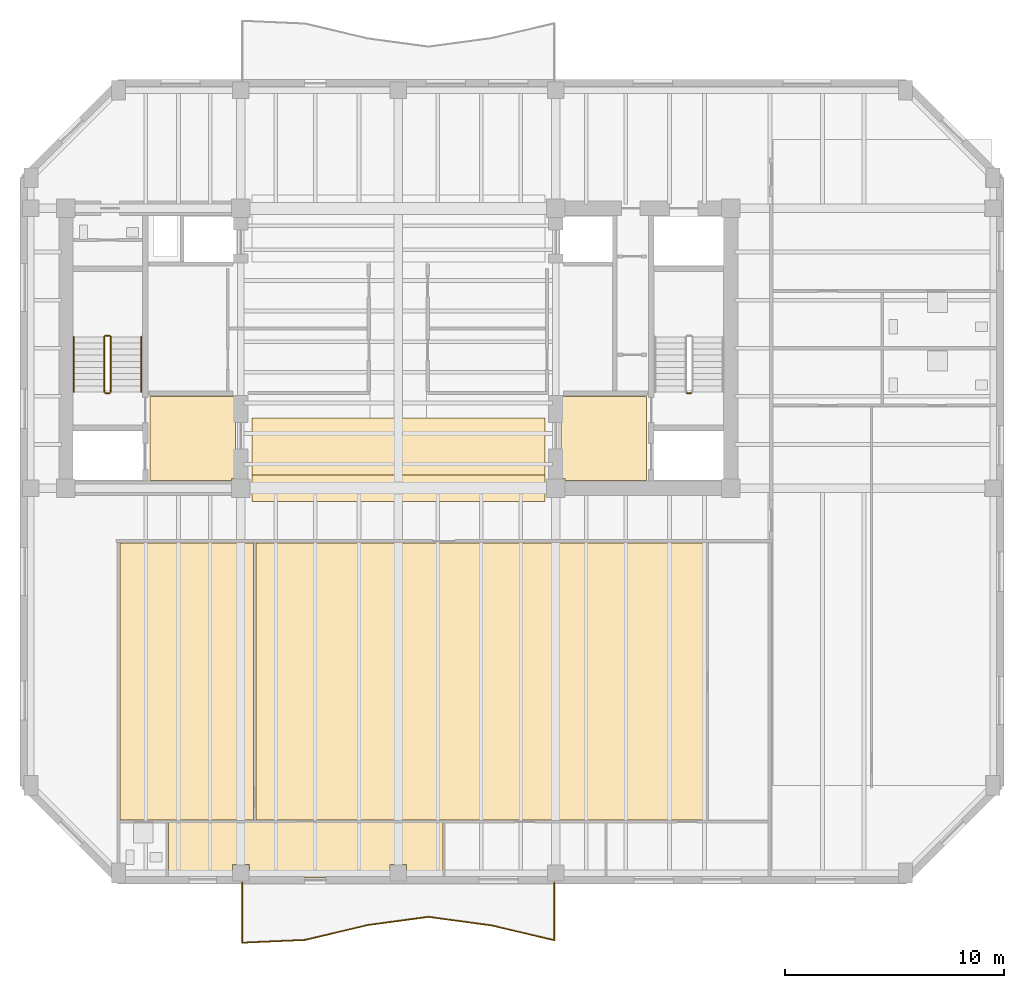
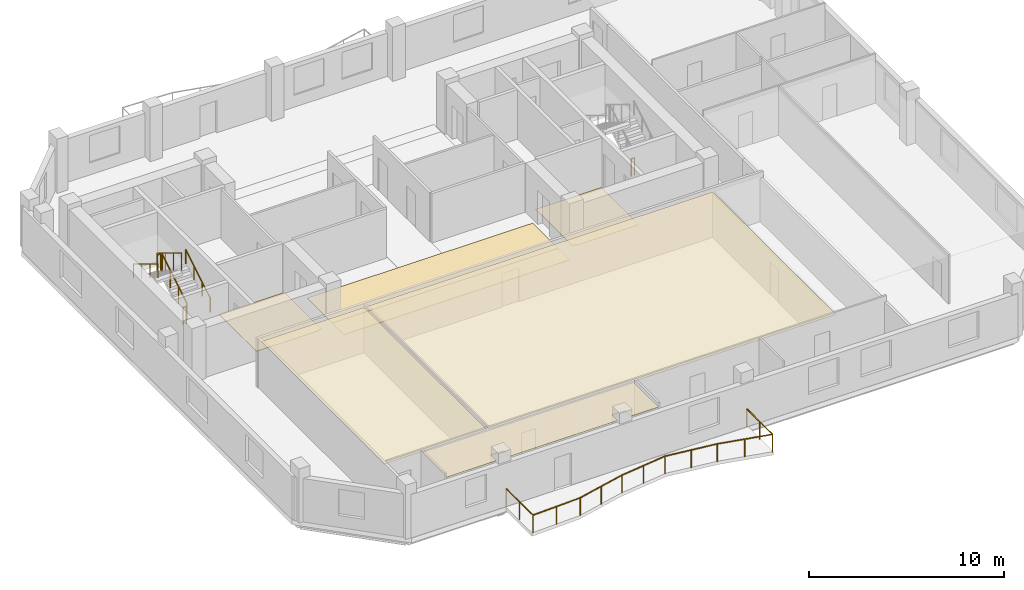
# One storey, part 6 of 9: 8 railings, 7 coverings.
"""IFC4 building model written with IfcOpenShell, lengths in metres."""

from ifc_helpers import new_model, si_unit, direction, frame, origin, origin_2d, place, context, subcontext, project, spatial, polyline, circle, outline, extrude, material, layer, layer_set, type_object, element, save


model = new_model("IFC4")

# Units and contexts
model_context = context("Model", 3, precision=1e-05, world=origin(), true_north=direction((0.0, 1.0)))
body_context = subcontext(model_context, "Body", "Model", "MODEL_VIEW")
ifc_project = project(units=[si_unit("LENGTHUNIT", "METRE"), si_unit("AREAUNIT", "SQUARE_METRE"), si_unit("VOLUMEUNIT", "CUBIC_METRE"), si_unit("PLANEANGLEUNIT", "RADIAN"), si_unit("MASSUNIT", "GRAM", prefix="KILO")], contexts=[model_context])

# Site, building, storey
site_placement = place(None, origin())
site = spatial("IfcSite", under=ifc_project, at=site_placement, CompositionType="ELEMENT")
building_placement = place(site_placement, origin())
building = spatial("IfcBuilding", under=site, at=building_placement, Name="Kranthara Brick Stack", CompositionType="ELEMENT")
storey_placement = place(building_placement, frame((0.0, 0.0, 238.10009765625)))
storey = spatial("IfcBuildingStorey", under=building, at=storey_placement, Name="L62", CompositionType="ELEMENT", Elevation=238.10009765625)

# Coverings
ifc_material_1 = material(Name="Perforated mineral-fibre acoustic ceiling tile", Category="other")
ifc_layer_1 = layer(ifc_material_1, 0.02490234375)
ifc_layer_set_1 = layer_set([ifc_layer_1], Name="Perforated mineral-fibre acoustic ceiling tile")
covering_type_1 = type_object("IfcCoveringType", Name="COV-CEIL-ACOUSTIC", PredefinedType="CEILING", material=ifc_layer_set_1)
covering_1_placement = place(storey_placement, frame((0.0, 0.0, 2.829833984375)))
element("IfcCovering", 1, at=covering_1_placement, inside=storey, type_object=covering_type_1, Name="L62 Unit L62A 3-Bed Apartment Living Dining Acoustic Ceiling", PredefinedType="CEILING", context=body_context, shape_type="SweptSolid", body=[
    extrude(outline(polyline([(21.385986328125, 5.6298828125), (21.385986328125, 18.300048828125), (15.280029296875, 18.300048828125), (15.280029296875, 5.6298828125), (21.385986328125, 5.6298828125)])), origin(), (0.0, 0.0, 1.0), 0.025146484375),
])
covering_2_placement = place(storey_placement, frame((0.0, 0.0, 2.829833984375)))
element("IfcCovering", 2, at=covering_2_placement, inside=storey, type_object=covering_type_1, Name="L62 Unit L62A Private Study Room Acoustic Ceiling", PredefinedType="CEILING", context=body_context, shape_type="SweptSolid", body=[
    extrude(outline(polyline([(42.087890625, 5.6298828125), (42.087890625, 18.300048828125), (21.486083984375, 18.300048828125), (21.486083984375, 5.6298828125), (42.087890625, 5.6298828125)])), origin(), (0.0, 0.0, 1.0), 0.025146484375),
])
covering_3_placement = place(storey_placement, frame((0.0, 0.0, 2.829833984375)))
element("IfcCovering", 3, at=covering_3_placement, inside=storey, type_object=covering_type_1, Name="L62 Unit L62A Kitchen Acoustic Ceiling", PredefinedType="CEILING", context=body_context, shape_type="SweptSolid", body=[
    extrude(outline(polyline([(17.47998046875, 5.550048828125), (30.0400390625, 5.550048828125), (30.0400390625, 3.0), (28.385009765625, 3.0), (28.385009765625, 3.5849609375), (27.614990234375, 3.5849609375), (27.614990234375, 3.0), (21.18505859375, 3.0), (21.18505859375, 3.5849609375), (20.4150390625, 3.5849609375), (20.4150390625, 3.0), (17.47998046875, 3.0), (17.47998046875, 5.550048828125)])), origin(), (0.0, 0.0, 1.0), 0.025146484375),
])
ifc_material_2 = material(Name="Honed terrazzo and porcelain floor finish", Category="stone")
ifc_layer_2 = layer(ifc_material_2, 0.030029296875)
ifc_layer_set_2 = layer_set([ifc_layer_2], Name="Honed terrazzo and porcelain floor finish")
covering_type_2 = type_object("IfcCoveringType", Name="COV-FLOR-STONE", PredefinedType="FLOORING", material=ifc_layer_set_2)
covering_4_placement = place(storey_placement, origin())
element("IfcCovering", 4, at=covering_4_placement, inside=storey, type_object=covering_type_2, Name="L62 Lift Lobby Stone Flooring", PredefinedType="FLOORING", context=body_context, shape_type="SweptSolid", body=[
    extrude(outline(polyline([(16.64990234375, 21.14990234375), (16.64990234375, 25.0), (20.550048828125, 25.0), (20.550048828125, 21.235107421875), (20.364990234375, 21.235107421875), (20.364990234375, 21.14990234375), (16.64990234375, 21.14990234375)])), origin(), (0.0, 0.0, 1.0), 0.02978515625),
])
covering_5_placement = place(storey_placement, origin())
element("IfcCovering", 5, at=covering_5_placement, inside=storey, type_object=covering_type_2, Name="L62 Lift Lobby Stone Flooring", PredefinedType="FLOORING", context=body_context, shape_type="SweptSolid", body=[
    extrude(outline(polyline([(35.449951171875, 25.0), (39.35009765625, 25.0), (39.35009765625, 21.14990234375), (35.635009765625, 21.14990234375), (35.635009765625, 21.235107421875), (35.449951171875, 21.235107421875), (35.449951171875, 25.0)])), origin(), (0.0, 0.0, 1.0), 0.02978515625),
])
covering_6_placement = place(storey_placement, origin())
element("IfcCovering", 6, at=covering_6_placement, inside=storey, type_object=covering_type_2, Name="L62 Lift Lobby Stone Flooring", PredefinedType="FLOORING", context=body_context, shape_type="SweptSolid", body=[
    extrude(outline(polyline([(34.699951171875, 21.39990234375), (34.699951171875, 24.0), (21.300048828125, 24.0), (21.300048828125, 21.39990234375), (34.699951171875, 21.39990234375)])), origin(), (0.0, 0.0, 1.0), 0.02978515625),
])
covering_7_placement = place(storey_placement, origin())
element("IfcCovering", 7, at=covering_7_placement, inside=storey, type_object=covering_type_2, Name="L62 Lift Lobby Stone Flooring", PredefinedType="FLOORING", context=body_context, shape_type="SweptSolid", body=[
    extrude(outline(polyline([(34.699951171875, 20.199951171875), (21.300048828125, 20.199951171875), (21.300048828125, 21.39990234375), (34.699951171875, 21.39990234375), (34.699951171875, 20.199951171875)])), origin(), (0.0, 0.0, 1.0), 0.02978515625),
])

# Railings
ifc_material_3 = material(Name="Bronze anodised aluminium and laminated glass balustrade", Category="aluminium")
railing_type_1 = type_object("IfcRailingType", Name="RL-BALC-1120", PredefinedType="BALUSTRADE", material=ifc_material_3)
railing_1_placement = place(storey_placement, frame((35.139892578125, 2.760009765625, 0.0)))
element("IfcRailing", 8, at=railing_1_placement, inside=storey, type_object=railing_type_1, Name="L62 South Rippling Balcony Balustrade", PredefinedType="BALUSTRADE", context=body_context, shape_type="SweptSolid", body=[
    extrude(circle(Radius=0.02392578125, at=origin_2d()), frame((0.0, 0.0, 1.09619140625), z_axis=(0.000185322458, -0.999999982828, 0.0), x_axis=(0.999999982828, 0.000185322458, 0.0)), (0.0, 0.0, 1.0), 2.634765625),
    extrude(circle(Radius=0.02392578125, at=origin_2d()), frame((0.00048828125, -2.634765625, 1.09619140625), z_axis=(-0.973325123583, 0.229430171952, 0.0), x_axis=(-0.229430171952, -0.973325123583, 0.0)), (0.0, 0.0, 1.0), 2.959228515625),
    extrude(circle(Radius=0.02392578125, at=origin_2d()), frame((-2.8798828125, -1.955810546875, 1.09619140625), z_axis=(-0.990958044429, 0.134172106567, 0.0), x_axis=(-0.134172106567, -0.990958044429, 0.0)), (0.0, 0.0, 1.0), 2.906005859375),
    extrude(circle(Radius=0.02392578125, at=origin_2d()), frame((-5.759521484375, -1.56591796875, 1.09619140625), z_axis=(-0.991112725589, -0.133024678819, 0.0), x_axis=(0.133024678819, -0.991112725589, 0.0)), (0.0, 0.0, 1.0), 2.785888671875),
    extrude(circle(Radius=0.02392578125, at=origin_2d()), frame((-8.520751953125, -1.9365234375, 1.09619140625), z_axis=(-0.972955551259, -0.23099241389, 0.0), x_axis=(0.23099241389, -0.972955551259, 0.0)), (0.0, 0.0, 1.0), 2.96044921875),
    extrude(circle(Radius=0.02392578125, at=origin_2d()), frame((-11.401123046875, -2.620361328125, 1.09619140625), z_axis=(-0.999029441262, -0.04404742322, 0.0), x_axis=(0.04404742322, -0.999029441262, 0.0)), (0.0, 0.0, 1.0), 2.882080078125),
    extrude(circle(Radius=0.02392578125, at=origin_2d()), frame((-14.280517578125, -2.747314453125, 1.09619140625), z_axis=(0.000266595565, 0.999999964463, 0.0), x_axis=(-0.999999964463, 0.000266595565, 0.0)), (0.0, 0.0, 1.0), 2.747314453125),
    extrude(circle(Radius=0.02099609375, at=origin_2d()), origin(), (0.0, 0.0, 1.0), 1.072021484375),
    extrude(circle(Radius=0.02099609375, at=origin_2d()), frame((0.000244140625, -1.3173828125, 0.0)), (0.0, 0.0, 1.0), 1.072021484375),
    extrude(circle(Radius=0.02099609375, at=origin_2d()), frame((0.00048828125, -2.634765625, 0.0)), (0.0, 0.0, 1.0), 1.072021484375),
    extrude(circle(Radius=0.02099609375, at=origin_2d()), frame((-1.439697265625, -2.29541015625, 0.0)), (0.0, 0.0, 1.0), 1.072021484375),
    extrude(circle(Radius=0.02099609375, at=origin_2d()), frame((-2.8798828125, -1.955810546875, 0.0)), (0.0, 0.0, 1.0), 1.072021484375),
    extrude(circle(Radius=0.02099609375, at=origin_2d()), frame((-4.31982421875, -1.7607421875, 0.0)), (0.0, 0.0, 1.0), 1.072021484375),
    extrude(circle(Radius=0.02099609375, at=origin_2d()), frame((-5.759521484375, -1.56591796875, 0.0)), (0.0, 0.0, 1.0), 1.072021484375),
    extrude(circle(Radius=0.02099609375, at=origin_2d()), frame((-7.14013671875, -1.751220703125, 0.0)), (0.0, 0.0, 1.0), 1.072021484375),
    extrude(circle(Radius=0.02099609375, at=origin_2d()), frame((-8.520751953125, -1.9365234375, 0.0)), (0.0, 0.0, 1.0), 1.072021484375),
    extrude(circle(Radius=0.02099609375, at=origin_2d()), frame((-9.9609375, -2.2783203125, 0.0)), (0.0, 0.0, 1.0), 1.072021484375),
    extrude(circle(Radius=0.02099609375, at=origin_2d()), frame((-11.401123046875, -2.620361328125, 0.0)), (0.0, 0.0, 1.0), 1.072021484375),
    extrude(circle(Radius=0.02099609375, at=origin_2d()), frame((-12.8408203125, -2.683837890625, 0.0)), (0.0, 0.0, 1.0), 1.072021484375),
    extrude(circle(Radius=0.02099609375, at=origin_2d()), frame((-14.280517578125, -2.747314453125, 0.0)), (0.0, 0.0, 1.0), 1.072021484375),
    extrude(circle(Radius=0.02099609375, at=origin_2d()), frame((-14.2802734375, -1.37353515625, 0.0)), (0.0, 0.0, 1.0), 1.072021484375),
    extrude(circle(Radius=0.02099609375, at=origin_2d()), frame((-14.27978515625, 0.0, 0.0)), (0.0, 0.0, 1.0), 1.072021484375),
])
ifc_material_4 = material(Name="Painted galvanized steel stair guardrail", Category="steel")
railing_type_2 = type_object("IfcRailingType", Name="RL-STAIR-GUARD-1100", PredefinedType="GUARDRAIL", material=ifc_material_4)
railing_2_placement = place(storey_placement, frame((14.85009765625, 25.199951171875, 0.169921875)))
element("IfcRailing", 9, at=railing_2_placement, inside=storey, type_object=railing_type_2, Name="L62 ST01 stair guard 1", PredefinedType="GUARDRAIL", context=body_context, shape_type="SweptSolid", body=[
    extrude(circle(Radius=0.02392578125, at=origin_2d()), frame((0.0, 0.0, 1.076171875), z_axis=(0.0, 0.85478489116, 0.518982456201), x_axis=(-1.0, 0.0, 0.0)), (0.0, 0.0, 1.0), 2.9482421875),
    extrude(circle(Radius=0.02099609375, at=origin_2d()), origin(), (0.0, 0.0, 1.0), 1.052001953125),
    extrude(circle(Radius=0.02099609375, at=origin_2d()), frame((0.0, 0.840087890625, 0.510009765625)), (0.0, 0.0, 1.0), 1.052001953125),
    extrude(circle(Radius=0.02099609375, at=origin_2d()), frame((0.0, 1.679931640625, 1.02001953125)), (0.0, 0.0, 1.0), 1.052001953125),
    extrude(circle(Radius=0.02099609375, at=origin_2d()), frame((0.0, 2.52001953125, 1.530029296875)), (0.0, 0.0, 1.0), 1.052001953125),
])
railing_3_placement = place(storey_placement, frame((14.800048828125, 27.77001953125, 1.699951171875)))
element("IfcRailing", 10, at=railing_3_placement, inside=storey, type_object=railing_type_2, Name="L62 ST01 stair guard 2", PredefinedType="GUARDRAIL", context=body_context, shape_type="SweptSolid", body=[
    extrude(circle(Radius=0.02392578125, at=origin_2d()), frame((0.0, 0.0, 1.076171875), z_axis=(-1.0, 0.0, 0.0), x_axis=(0.0, -1.0, 0.0)), (0.0, 0.0, 1.0), 0.199951171875),
    extrude(circle(Radius=0.02099609375, at=origin_2d()), origin(), (0.0, 0.0, 1.0), 1.052001953125),
    extrude(circle(Radius=0.02099609375, at=origin_2d()), frame((-0.199951171875, 0.0, 0.0)), (0.0, 0.0, 1.0), 1.052001953125),
])
railing_4_placement = place(storey_placement, frame((14.550048828125, 27.719970703125, 1.869873046875)))
element("IfcRailing", 11, at=railing_4_placement, inside=storey, type_object=railing_type_2, Name="L62 ST01 stair guard 3", PredefinedType="GUARDRAIL", context=body_context, shape_type="SweptSolid", body=[
    extrude(circle(Radius=0.02392578125, at=origin_2d()), frame((0.0, 0.0, 1.076171875), z_axis=(0.0, -0.85478489116, 0.518982456201), x_axis=(1.0, 0.0, 0.0)), (0.0, 0.0, 1.0), 2.9482421875),
    extrude(circle(Radius=0.02099609375, at=origin_2d()), origin(), (0.0, 0.0, 1.0), 1.052001953125),
    extrude(circle(Radius=0.02099609375, at=origin_2d()), frame((0.0, -0.840087890625, 0.510009765625)), (0.0, 0.0, 1.0), 1.052001953125),
    extrude(circle(Radius=0.02099609375, at=origin_2d()), frame((0.0, -1.679931640625, 1.02001953125)), (0.0, 0.0, 1.0), 1.052001953125),
    extrude(circle(Radius=0.02099609375, at=origin_2d()), frame((0.0, -2.52001953125, 1.530029296875)), (0.0, 0.0, 1.0), 1.052001953125),
])
for number, where, name in (
    (12, (14.800048828125, 25.14990234375, 0.0), "L62 ST01 stair guard 4"),
    (13, (41.39990234375, 25.14990234375, 0.0), "L62 ST02 stair guard 4"),
):
    element("IfcRailing", number, at=place(storey_placement, frame(where)), inside=storey, type_object=railing_type_2, Name=name, PredefinedType="GUARDRAIL", context=body_context, shape_type="SweptSolid", body=[
        extrude(circle(Radius=0.02392578125, at=origin_2d()), frame((0.0, 0.0, 1.076171875), z_axis=(-1.0, 0.0, 0.0), x_axis=(0.0, -1.0, 0.0)), (0.0, 0.0, 1.0), 0.199951171875),
        extrude(circle(Radius=0.02099609375, at=origin_2d()), origin(), (0.0, 0.0, 1.0), 1.052001953125),
        extrude(circle(Radius=0.02099609375, at=origin_2d()), frame((-0.199951171875, 0.0, 0.0)), (0.0, 0.0, 1.0), 1.052001953125),
    ])
ifc_material_5 = material(Name="Brushed stainless steel tubular handrail", Category="steel")
railing_type_3 = type_object("IfcRailingType", Name="RL-STAIR-HAND-900", PredefinedType="HANDRAIL", material=ifc_material_5)
railing_5_placement = place(storey_placement, frame((16.25, 25.199951171875, 0.169921875)))
element("IfcRailing", 14, at=railing_5_placement, inside=storey, type_object=railing_type_3, Name="L62 ST01 stair handrail 1", PredefinedType="HANDRAIL", context=body_context, shape_type="SweptSolid", body=[
    extrude(circle(Radius=0.02392578125, at=origin_2d()), frame((0.0, 0.0, 0.8759765625), z_axis=(0.0, 0.85478489116, 0.518982456201), x_axis=(-1.0, 0.0, 0.0)), (0.0, 0.0, 1.0), 2.9482421875),
    extrude(circle(Radius=0.02099609375, at=origin_2d()), origin(), (0.0, 0.0, 1.0), 0.851806640625),
    extrude(circle(Radius=0.02099609375, at=origin_2d()), frame((0.0, 0.840087890625, 0.510009765625)), (0.0, 0.0, 1.0), 0.851806640625),
    extrude(circle(Radius=0.02099609375, at=origin_2d()), frame((0.0, 1.679931640625, 1.02001953125)), (0.0, 0.0, 1.0), 0.851806640625),
    extrude(circle(Radius=0.02099609375, at=origin_2d()), frame((0.0, 2.52001953125, 1.530029296875)), (0.0, 0.0, 1.0), 0.851806640625),
])
railing_6_placement = place(storey_placement, frame((13.14990234375, 27.719970703125, 1.869873046875)))
element("IfcRailing", 15, at=railing_6_placement, inside=storey, type_object=railing_type_3, Name="L62 ST01 stair handrail 2", PredefinedType="HANDRAIL", context=body_context, shape_type="SweptSolid", body=[
    extrude(circle(Radius=0.02392578125, at=origin_2d()), frame((0.0, 0.0, 0.8759765625), z_axis=(0.0, -0.85478489116, 0.518982456201), x_axis=(1.0, 0.0, 0.0)), (0.0, 0.0, 1.0), 2.9482421875),
    extrude(circle(Radius=0.02099609375, at=origin_2d()), origin(), (0.0, 0.0, 1.0), 0.851806640625),
    extrude(circle(Radius=0.02099609375, at=origin_2d()), frame((0.0, -0.840087890625, 0.510009765625)), (0.0, 0.0, 1.0), 0.851806640625),
    extrude(circle(Radius=0.02099609375, at=origin_2d()), frame((0.0, -1.679931640625, 1.02001953125)), (0.0, 0.0, 1.0), 0.851806640625),
    extrude(circle(Radius=0.02099609375, at=origin_2d()), frame((0.0, -2.52001953125, 1.530029296875)), (0.0, 0.0, 1.0), 0.851806640625),
])

save(model, "model.ifc")
